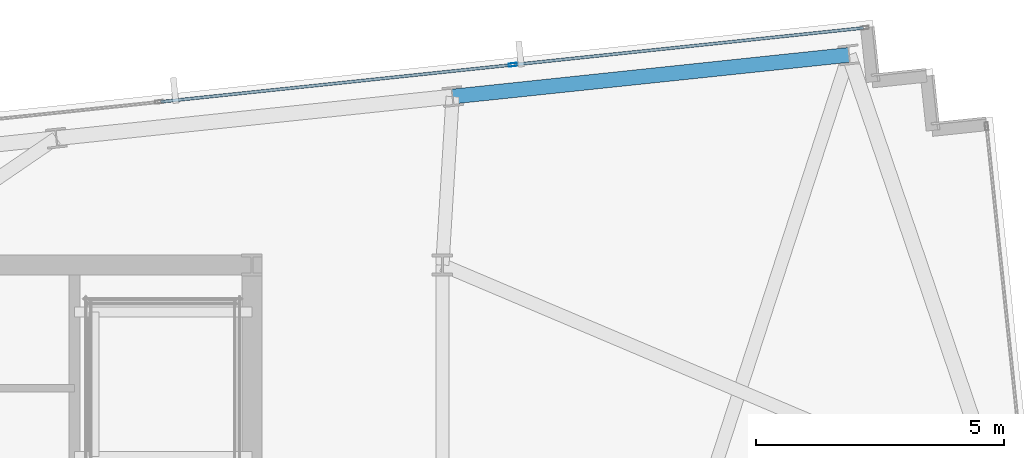
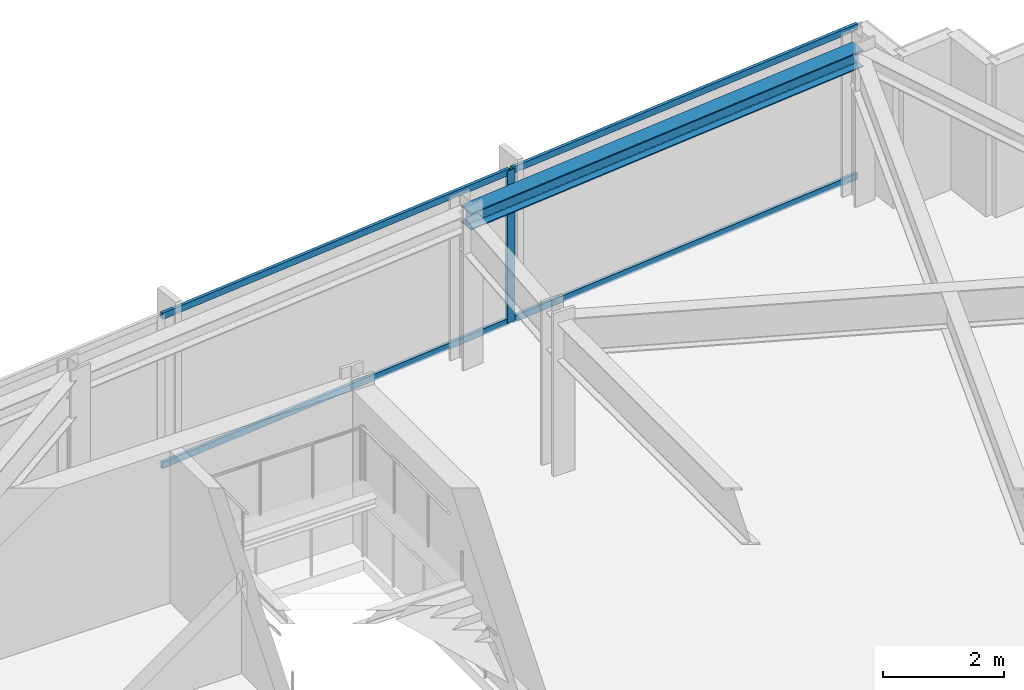
# One storey, part 24 of 32: 5 members, 1 beam, 1 element without a shape of its own.
"""IFC4 building model written with IfcOpenShell, lengths in metres."""

from ifc_helpers import new_model, si_unit, direction, frame, origin, origin_2d, place, context, subcontext, project, spatial, hollow_rectangle, i_section, extrude, material, material_profile, profile_set, type_object, element, aggregate, save


model = new_model("IFC4")

# Units and contexts
model_context = context("Model", 3, precision=1e-05, world=origin(), true_north=direction((0.0, 1.0)))
body_context = subcontext(model_context, "Body", "Model", "MODEL_VIEW")
ifc_project = project(units=[si_unit("LENGTHUNIT", "METRE"), si_unit("AREAUNIT", "SQUARE_METRE"), si_unit("VOLUMEUNIT", "CUBIC_METRE"), si_unit("PLANEANGLEUNIT", "RADIAN"), si_unit("MASSUNIT", "GRAM", prefix="KILO")], contexts=[model_context])

# Site, building, storey
site_placement = place(None, origin())
site = spatial("IfcSite", under=ifc_project, at=site_placement, CompositionType="ELEMENT")
building_placement = place(site_placement, origin())
building = spatial("IfcBuilding", under=site, at=building_placement, Name="Yelkora Congress Tower", CompositionType="ELEMENT")
storey_placement = place(building_placement, frame((0.0, 0.0, 214.39990234375)))
storey = spatial("IfcBuildingStorey", under=building, at=storey_placement, Name="L59", CompositionType="ELEMENT", Elevation=214.39990234375)

# Beam
ifc_material_1 = material(Name="Steel S355J2", Category="steel")
ifc_material_profile_1 = material_profile(ifc_material_1, i_section(OverallWidth=0.300048828125, OverallDepth=0.340087890625, WebThickness=0.011962890625, FlangeThickness=0.021484375, FilletRadius=0.027099609375, at=origin_2d()), Name="HEB 340")
ifc_profile_set_1 = profile_set([ifc_material_profile_1], Name="Steel S355J2")
beam_type = type_object("IfcBeamType", Name="BM-SPAN-HEB340", PredefinedType="SPANDREL", material=ifc_profile_set_1)
beam_placement = place(storey_placement, frame((65.7958984375, 50.4365234375, 2.91015625), z_axis=(-0.994520097542, -0.104545567032, 0.0), x_axis=(0.104545567032, -0.994520097542, 0.0)))
element("IfcBeam", 1, at=beam_placement, inside=storey, type_object=beam_type, Name="L59 Perimeter Beam 13", PredefinedType="SPANDREL", context=body_context, shape_type="SweptSolid", body=[
    extrude(i_section(OverallWidth=0.300048828125, OverallDepth=0.340087890625, WebThickness=0.011962890625, FlangeThickness=0.021484375, FilletRadius=0.027099609375, at=origin_2d()), origin(), (0.0, 0.0, 1.0), 8.033203125),
])

# Curtain wall, members
ifc_material_2 = material(Name="Anodised aluminium and insulated glass", Category="aluminium")
curtain_wall_type = type_object("IfcCurtainWallType", Name="CW-SYS-B4", PredefinedType="NOTDEFINED", material=ifc_material_2)
curtain_wall_placement = place(storey_placement, origin())
curtain_wall = element("IfcCurtainWall", 2, at=curtain_wall_placement, inside=storey, type_object=curtain_wall_type, Name="L59 Unitised Curtain Wall 10 (3)", PredefinedType="NOTDEFINED")
ifc_material_3 = material(Name="Anodised aluminium 6063-T6", Category="aluminium")
ifc_material_profile_2 = material_profile(ifc_material_3, hollow_rectangle(XDim=0.06494140625, YDim=0.159912109375, WallThickness=0.00390625, at=origin_2d()), Name="ALU 65x160x4")
ifc_profile_set_2 = profile_set([ifc_material_profile_2], Name="Anodised aluminium 6063-T6")
member_type_1 = type_object("IfcMemberType", Name="MEM-ML-B4", PredefinedType="MULLION", material=ifc_profile_set_2)
member_1_placement = place(storey_placement, frame((59.019775390625, 50.237060546875, 0.0), z_axis=(0.0, 0.0, 1.0), x_axis=(-0.104527724021, 0.994521973066, 0.0)))
member_1 = element("IfcMember", 3, at=member_1_placement, type_object=member_type_1, Name="CW-B4 mullion 6", PredefinedType="MULLION", context=body_context, shape_type="SweptSolid", body=[
    extrude(hollow_rectangle(XDim=0.06494140625, YDim=0.159912109375, WallThickness=0.00390625, at=origin_2d()), origin(), (0.0, 0.0, 1.0), 3.080078125),
])
ifc_material_profile_3 = material_profile(ifc_material_3, hollow_rectangle(XDim=0.06005859375, YDim=0.1298828125, WallThickness=0.00390625, at=origin_2d()), Name="ALU 60x130x4")
ifc_profile_set_3 = profile_set([ifc_material_profile_3], Name="Anodised aluminium 6063-T6")
member_type_2 = type_object("IfcMemberType", Name="MEM-TR-B4", PredefinedType="USERDEFINED", material=ifc_profile_set_3)
member_2_placement = place(storey_placement, frame((51.92138671875, 49.490966796875, 0.030029296875), z_axis=(0.99452200925, 0.104527379751, 0.0), x_axis=(-0.104527379751, 0.99452200925, 0.0)))
member_2 = element("IfcMember", 4, at=member_2_placement, type_object=member_type_2, Name="CW-B4 transom 5.1", ObjectType="TRANSOM", PredefinedType="USERDEFINED", context=body_context, shape_type="SweptSolid", body=[
    extrude(hollow_rectangle(XDim=0.06005859375, YDim=0.1298828125, WallThickness=0.00390625, at=origin_2d()), origin(), (0.0, 0.0, 1.0), 7.10498046875),
])
member_3_placement = place(storey_placement, frame((51.92138671875, 49.490966796875, 3.050048828125), z_axis=(0.99452200925, 0.104527379751, 0.0), x_axis=(-0.104527379751, 0.99452200925, 0.0)))
member_3 = element("IfcMember", 5, at=member_3_placement, type_object=member_type_2, Name="CW-B4 transom 5.2", ObjectType="TRANSOM", PredefinedType="USERDEFINED", context=body_context, shape_type="SweptSolid", body=[
    extrude(hollow_rectangle(XDim=0.06005859375, YDim=0.1298828125, WallThickness=0.00390625, at=origin_2d()), origin(), (0.0, 0.0, 1.0), 7.10498046875),
])
member_4_placement = place(storey_placement, frame((59.052001953125, 50.240478515625, 0.030029296875), z_axis=(0.994522462765, 0.104523064706, 0.0), x_axis=(-0.104523064706, 0.994522462765, 0.0)))
member_4 = element("IfcMember", 6, at=member_4_placement, type_object=member_type_2, Name="CW-B4 transom 6.1", ObjectType="TRANSOM", PredefinedType="USERDEFINED", context=body_context, shape_type="SweptSolid", body=[
    extrude(hollow_rectangle(XDim=0.06005859375, YDim=0.1298828125, WallThickness=0.00390625, at=origin_2d()), origin(), (0.0, 0.0, 1.0), 7.07275390625),
])
member_5_placement = place(storey_placement, frame((59.052001953125, 50.240478515625, 3.050048828125), z_axis=(0.994522462765, 0.104523064706, 0.0), x_axis=(-0.104523064706, 0.994522462765, 0.0)))
member_5 = element("IfcMember", 7, at=member_5_placement, type_object=member_type_2, Name="CW-B4 transom 6.2", ObjectType="TRANSOM", PredefinedType="USERDEFINED", context=body_context, shape_type="SweptSolid", body=[
    extrude(hollow_rectangle(XDim=0.06005859375, YDim=0.1298828125, WallThickness=0.00390625, at=origin_2d()), origin(), (0.0, 0.0, 1.0), 7.07275390625),
])
aggregate(curtain_wall, [member_1, member_2, member_3, member_4, member_5])

save(model, "model.ifc")
